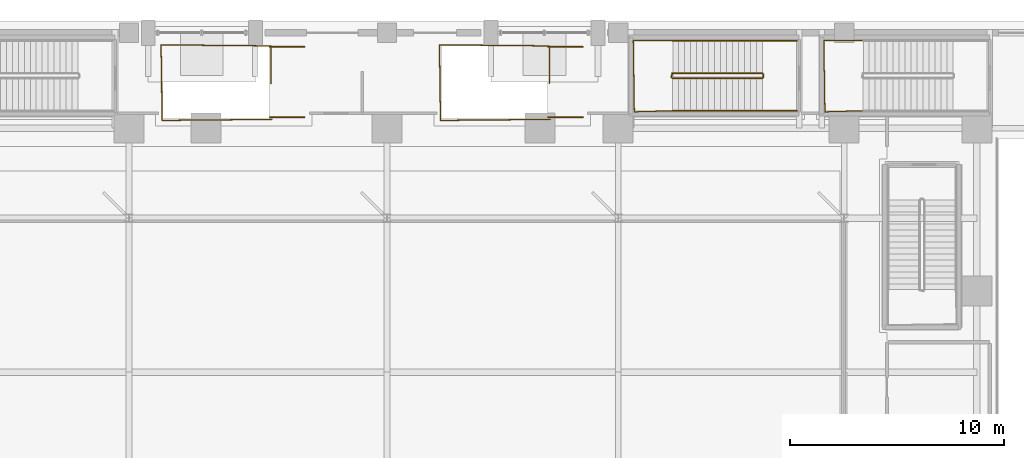
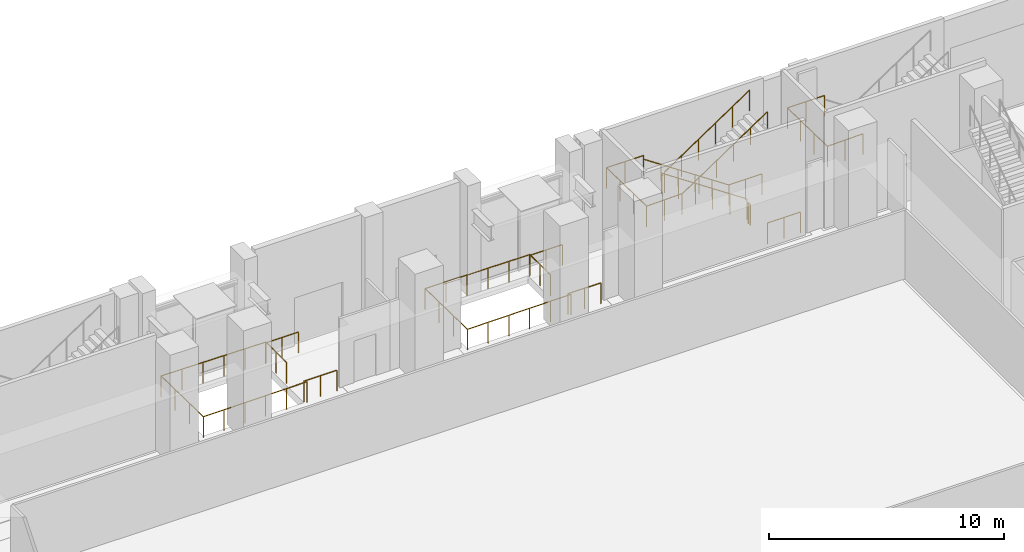
# One storey, part 32 of 36: 15 railings.
"""IFC4 building model written with IfcOpenShell, lengths in metres."""

from ifc_helpers import new_model, si_unit, direction, frame, origin, origin_2d, place, context, subcontext, project, spatial, circle, extrude, material, layer, layer_set, type_object, element, save


model = new_model("IFC4")

# Units and contexts
model_context = context("Model", 3, precision=1e-05, world=origin(), true_north=direction((0.0, 1.0)))
body_context = subcontext(model_context, "Body", "Model", "MODEL_VIEW")
ifc_project = project(units=[si_unit("LENGTHUNIT", "METRE"), si_unit("AREAUNIT", "SQUARE_METRE"), si_unit("VOLUMEUNIT", "CUBIC_METRE"), si_unit("PLANEANGLEUNIT", "RADIAN"), si_unit("MASSUNIT", "GRAM", prefix="KILO")], contexts=[model_context])

# Site, building, storey
site_placement = place(None, origin())
site = spatial("IfcSite", under=ifc_project, at=site_placement, CompositionType="ELEMENT")
building_placement = place(site_placement, origin())
building = spatial("IfcBuilding", under=site, at=building_placement, Name="Ndaravel Arena Tower", CompositionType="ELEMENT")
storey_placement = place(building_placement, origin())
storey = spatial("IfcBuildingStorey", under=building, at=storey_placement, Name="L00", CompositionType="ELEMENT", Elevation=0.0)

# Railings
ifc_material_1 = material(Name="Steel S355", Category="steel")
ifc_layer_1 = layer(ifc_material_1, 0.06005859375)
ifc_layer_set_1 = layer_set([ifc_layer_1], Name="Steel S355")
railing_type_1 = type_object("IfcRailingType", Name="RAIL-STAIR-GD1100", PredefinedType="GUARDRAIL", material=ifc_layer_set_1)
railing_1_placement = place(storey_placement, frame((60.179931640625, 45.570068359375, 0.1875)))
element("IfcRailing", 1, at=railing_1_placement, inside=storey, type_object=railing_type_1, Name="L00 ST-A10 stair guard 1", PredefinedType="GUARDRAIL", context=body_context, shape_type="SweptSolid", body=[
    extrude(circle(Radius=0.02392578125, at=origin_2d()), frame((0.0, 0.0, 1.076171875), z_axis=(-0.830904186295, 0.0, 0.556415522067), x_axis=(0.0, -1.0, 0.0)), (0.0, 0.0, 1.0), 5.0546875),
    extrude(circle(Radius=0.02392578125, at=origin_2d()), frame((-4.199951171875, 0.0, 3.888671875), z_axis=(-0.25449329928, -0.967074537263, 0.0), x_axis=(0.967074537263, -0.25449329928, 0.0)), (0.0, 0.0, 1.0), 0.19677734375),
    extrude(circle(Radius=0.02099609375, at=origin_2d()), origin(), (0.0, 0.0, 1.0), 1.052001953125),
    extrude(circle(Radius=0.02099609375, at=origin_2d()), frame((-0.840087890625, 0.0, 0.5625)), (0.0, 0.0, 1.0), 1.052001953125),
    extrude(circle(Radius=0.02099609375, at=origin_2d()), frame((-1.679931640625, 0.0, 1.125)), (0.0, 0.0, 1.0), 1.052001953125),
    extrude(circle(Radius=0.02099609375, at=origin_2d()), frame((-2.52001953125, 0.0, 1.6875)), (0.0, 0.0, 1.0), 1.052001953125),
    extrude(circle(Radius=0.02099609375, at=origin_2d()), frame((-3.35986328125, 0.0, 2.25)), (0.0, 0.0, 1.0), 1.052001953125),
    extrude(circle(Radius=0.02099609375, at=origin_2d()), frame((-4.199951171875, 0.0, 2.8125)), (0.0, 0.0, 1.0), 1.052001953125),
    extrude(circle(Radius=0.02099609375, at=origin_2d()), frame((-4.25, -0.190185546875, 2.8125)), (0.0, 0.0, 1.0), 1.052001953125),
])
railing_2_placement = place(storey_placement, frame((55.97998046875, 47.090087890625, 3.0)))
element("IfcRailing", 2, at=railing_2_placement, inside=storey, type_object=railing_type_1, Name="L00 ST-A10 stair guard 2", PredefinedType="GUARDRAIL", context=body_context, shape_type="SweptSolid", body=[
    extrude(circle(Radius=0.02392578125, at=origin_2d()), frame((0.0, 0.0, 1.076171875), z_axis=(-1.0, 0.0, 0.0), x_axis=(0.0, -1.0, 0.0)), (0.0, 0.0, 1.0), 1.830078125),
    extrude(circle(Radius=0.02392578125, at=origin_2d()), frame((-1.830078125, 0.0, 1.076171875), z_axis=(0.015027628384, -0.999887078817, 0.0), x_axis=(0.999887078817, 0.015027628384, 0.0)), (0.0, 0.0, 1.0), 3.33056640625),
    extrude(circle(Radius=0.02392578125, at=origin_2d()), frame((-1.780029296875, -3.330078125, 1.076171875), z_axis=(0.999604955407, 0.028105748986, 0.0), x_axis=(-0.028105748986, 0.999604955407, 0.0)), (0.0, 0.0, 1.0), 1.78076171875),
    extrude(circle(Radius=0.02099609375, at=origin_2d()), origin(), (0.0, 0.0, 1.0), 1.052001953125),
    extrude(circle(Radius=0.02099609375, at=origin_2d()), frame((-0.9150390625, 0.0, 0.0)), (0.0, 0.0, 1.0), 1.052001953125),
    extrude(circle(Radius=0.02099609375, at=origin_2d()), frame((-1.830078125, 0.0, 0.0)), (0.0, 0.0, 1.0), 1.052001953125),
    extrude(circle(Radius=0.02099609375, at=origin_2d()), frame((-1.8134765625, -1.110107421875, 0.0)), (0.0, 0.0, 1.0), 1.052001953125),
    extrude(circle(Radius=0.02099609375, at=origin_2d()), frame((-1.796630859375, -2.219970703125, 0.0)), (0.0, 0.0, 1.0), 1.052001953125),
    extrude(circle(Radius=0.02099609375, at=origin_2d()), frame((-1.780029296875, -3.330078125, 0.0)), (0.0, 0.0, 1.0), 1.052001953125),
    extrude(circle(Radius=0.02099609375, at=origin_2d()), frame((-0.89013671875, -3.30517578125, 0.0)), (0.0, 0.0, 1.0), 1.052001953125),
    extrude(circle(Radius=0.02099609375, at=origin_2d()), frame((0.0, -3.280029296875, 0.0)), (0.0, 0.0, 1.0), 1.052001953125),
])
railing_3_placement = place(storey_placement, frame((55.97998046875, 45.330078125, 3.1875)))
element("IfcRailing", 3, at=railing_3_placement, inside=storey, type_object=railing_type_1, Name="L00 ST-A10 stair guard 3", PredefinedType="GUARDRAIL", context=body_context, shape_type="SweptSolid", body=[
    extrude(circle(Radius=0.02392578125, at=origin_2d()), frame((0.0, 0.0, 1.076171875), z_axis=(0.830904186295, 0.0, 0.556415522067), x_axis=(0.0, 1.0, 0.0)), (0.0, 0.0, 1.0), 5.0546875),
    extrude(circle(Radius=0.02099609375, at=origin_2d()), origin(), (0.0, 0.0, 1.0), 1.052001953125),
    extrude(circle(Radius=0.02099609375, at=origin_2d()), frame((0.840087890625, 0.0, 0.5625)), (0.0, 0.0, 1.0), 1.052001953125),
    extrude(circle(Radius=0.02099609375, at=origin_2d()), frame((1.679931640625, 0.0, 1.125)), (0.0, 0.0, 1.0), 1.052001953125),
    extrude(circle(Radius=0.02099609375, at=origin_2d()), frame((2.52001953125, 0.0, 1.6875)), (0.0, 0.0, 1.0), 1.052001953125),
    extrude(circle(Radius=0.02099609375, at=origin_2d()), frame((3.35986328125, 0.0, 2.25)), (0.0, 0.0, 1.0), 1.052001953125),
    extrude(circle(Radius=0.02099609375, at=origin_2d()), frame((4.199951171875, 0.0, 2.8125)), (0.0, 0.0, 1.0), 1.052001953125),
])
railing_4_placement = place(storey_placement, frame((60.22998046875, 45.52001953125, 0.0)))
element("IfcRailing", 4, at=railing_4_placement, inside=storey, type_object=railing_type_1, Name="L00 ST-A10 stair guard 4", PredefinedType="GUARDRAIL", context=body_context, shape_type="SweptSolid", body=[
    extrude(circle(Radius=0.02392578125, at=origin_2d()), frame((0.0, 0.0, 1.076171875), z_axis=(0.0, -1.0, 0.0), x_axis=(1.0, 0.0, 0.0)), (0.0, 0.0, 1.0), 0.14013671875),
    extrude(circle(Radius=0.02099609375, at=origin_2d()), origin(), (0.0, 0.0, 1.0), 1.052001953125),
    extrude(circle(Radius=0.02099609375, at=origin_2d()), frame((0.0, -0.14013671875, 0.0)), (0.0, 0.0, 1.0), 1.052001953125),
])
for number, where, name in (
    (5, (61.800048828125, 47.090087890625, 0.0), "L00 ST-A10 stair guard 5"),
    (6, (61.800048828125, 43.81005859375, 0.0), "L00 ST-A10 stair guard 6"),
):
    element("IfcRailing", number, at=place(storey_placement, frame(where)), inside=storey, type_object=railing_type_1, Name=name, PredefinedType="GUARDRAIL", context=body_context, shape_type="SweptSolid", body=[
        extrude(circle(Radius=0.02392578125, at=origin_2d()), frame((0.0, 0.0, 1.076171875), z_axis=(-1.0, 0.0, 0.0), x_axis=(0.0, -1.0, 0.0)), (0.0, 0.0, 1.0), 1.6201171875),
        extrude(circle(Radius=0.02099609375, at=origin_2d()), origin(), (0.0, 0.0, 1.0), 1.052001953125),
        extrude(circle(Radius=0.02099609375, at=origin_2d()), frame((-0.81005859375, 0.0, 0.0)), (0.0, 0.0, 1.0), 1.052001953125),
        extrude(circle(Radius=0.02099609375, at=origin_2d()), frame((-1.6201171875, 0.0, 0.0)), (0.0, 0.0, 1.0), 1.052001953125),
    ])
railing_5_placement = place(storey_placement, frame((64.8798828125, 47.090087890625, 3.0)))
element("IfcRailing", 7, at=railing_5_placement, inside=storey, type_object=railing_type_1, Name="L00 ST-A11 stair guard 2", PredefinedType="GUARDRAIL", context=body_context, shape_type="SweptSolid", body=[
    extrude(circle(Radius=0.02392578125, at=origin_2d()), frame((0.0, 0.0, 1.076171875), z_axis=(-1.0, 0.0, 0.0), x_axis=(0.0, -1.0, 0.0)), (0.0, 0.0, 1.0), 1.829833984375),
    extrude(circle(Radius=0.02392578125, at=origin_2d()), frame((-1.829833984375, 0.0, 1.076171875), z_axis=(0.015027628384, -0.999887078817, 0.0), x_axis=(0.999887078817, 0.015027628384, 0.0)), (0.0, 0.0, 1.0), 3.33056640625),
    extrude(circle(Radius=0.02392578125, at=origin_2d()), frame((-1.77978515625, -3.330078125, 1.076171875), z_axis=(0.999604847084, 0.028109601324, 0.0), x_axis=(-0.028109601324, 0.999604847084, 0.0)), (0.0, 0.0, 1.0), 1.780517578125),
    extrude(circle(Radius=0.02099609375, at=origin_2d()), origin(), (0.0, 0.0, 1.0), 1.052001953125),
    extrude(circle(Radius=0.02099609375, at=origin_2d()), frame((-0.9150390625, 0.0, 0.0)), (0.0, 0.0, 1.0), 1.052001953125),
    extrude(circle(Radius=0.02099609375, at=origin_2d()), frame((-1.829833984375, 0.0, 0.0)), (0.0, 0.0, 1.0), 1.052001953125),
    extrude(circle(Radius=0.02099609375, at=origin_2d()), frame((-1.813232421875, -1.110107421875, 0.0)), (0.0, 0.0, 1.0), 1.052001953125),
    extrude(circle(Radius=0.02099609375, at=origin_2d()), frame((-1.79638671875, -2.219970703125, 0.0)), (0.0, 0.0, 1.0), 1.052001953125),
    extrude(circle(Radius=0.02099609375, at=origin_2d()), frame((-1.77978515625, -3.330078125, 0.0)), (0.0, 0.0, 1.0), 1.052001953125),
    extrude(circle(Radius=0.02099609375, at=origin_2d()), frame((-0.889892578125, -3.30517578125, 0.0)), (0.0, 0.0, 1.0), 1.052001953125),
    extrude(circle(Radius=0.02099609375, at=origin_2d()), frame((0.0, -3.280029296875, 0.0)), (0.0, 0.0, 1.0), 1.052001953125),
])
railing_6_placement = place(storey_placement, frame((37.280029296875, 43.409912109375, 0.0)))
element("IfcRailing", 8, at=railing_6_placement, inside=storey, type_object=railing_type_1, Name="L00 ST-B3 top well guard 1", PredefinedType="GUARDRAIL", context=body_context, shape_type="SweptSolid", body=[
    extrude(circle(Radius=0.02392578125, at=origin_2d()), frame((0.0, 0.0, 1.076171875), z_axis=(-0.999952878021, -0.009707818356, 0.0), x_axis=(0.009707818356, -0.999952878021, 0.0)), (0.0, 0.0, 1.0), 5.13037109375),
    extrude(circle(Radius=0.02392578125, at=origin_2d()), frame((-5.130126953125, -0.0498046875, 1.076171875), z_axis=(-0.014108431049, 0.999900471134, 0.0), x_axis=(-0.999900471134, -0.014108431049, 0.0)), (0.0, 0.0, 1.0), 3.530029296875),
    extrude(circle(Radius=0.02392578125, at=origin_2d()), frame((-5.179931640625, 3.47998046875, 1.076171875), z_axis=(0.999952873536, -0.009708280326, 0.0), x_axis=(0.009708280326, 0.999952873536, 0.0)), (0.0, 0.0, 1.0), 5.130126953125),
    extrude(circle(Radius=0.02392578125, at=origin_2d()), frame((-0.050048828125, 3.43017578125, 1.076171875), z_axis=(0.0, -1.0, 0.0), x_axis=(1.0, 0.0, 0.0)), (0.0, 0.0, 1.0), 1.760009765625),
    extrude(circle(Radius=0.02099609375, at=origin_2d()), origin(), (0.0, 0.0, 1.0), 1.052001953125),
    extrude(circle(Radius=0.02099609375, at=origin_2d()), frame((-1.026123046875, -0.010009765625, 0.0)), (0.0, 0.0, 1.0), 1.052001953125),
    extrude(circle(Radius=0.02099609375, at=origin_2d()), frame((-2.052001953125, -0.02001953125, 0.0)), (0.0, 0.0, 1.0), 1.052001953125),
    extrude(circle(Radius=0.02099609375, at=origin_2d()), frame((-3.078125, -0.02978515625, 0.0)), (0.0, 0.0, 1.0), 1.052001953125),
    extrude(circle(Radius=0.02099609375, at=origin_2d()), frame((-4.10400390625, -0.039794921875, 0.0)), (0.0, 0.0, 1.0), 1.052001953125),
    extrude(circle(Radius=0.02099609375, at=origin_2d()), frame((-5.130126953125, -0.0498046875, 0.0)), (0.0, 0.0, 1.0), 1.052001953125),
    extrude(circle(Radius=0.02099609375, at=origin_2d()), frame((-5.146728515625, 1.126708984375, 0.0)), (0.0, 0.0, 1.0), 1.052001953125),
    extrude(circle(Radius=0.02099609375, at=origin_2d()), frame((-5.163330078125, 2.303466796875, 0.0)), (0.0, 0.0, 1.0), 1.052001953125),
    extrude(circle(Radius=0.02099609375, at=origin_2d()), frame((-5.179931640625, 3.47998046875, 0.0)), (0.0, 0.0, 1.0), 1.052001953125),
    extrude(circle(Radius=0.02099609375, at=origin_2d()), frame((-4.154052734375, 3.469970703125, 0.0)), (0.0, 0.0, 1.0), 1.052001953125),
    extrude(circle(Radius=0.02099609375, at=origin_2d()), frame((-3.1279296875, 3.4599609375, 0.0)), (0.0, 0.0, 1.0), 1.052001953125),
    extrude(circle(Radius=0.02099609375, at=origin_2d()), frame((-2.10205078125, 3.4501953125, 0.0)), (0.0, 0.0, 1.0), 1.052001953125),
    extrude(circle(Radius=0.02099609375, at=origin_2d()), frame((-1.075927734375, 3.440185546875, 0.0)), (0.0, 0.0, 1.0), 1.052001953125),
    extrude(circle(Radius=0.02099609375, at=origin_2d()), frame((-0.050048828125, 3.43017578125, 0.0)), (0.0, 0.0, 1.0), 1.052001953125),
    extrude(circle(Radius=0.02099609375, at=origin_2d()), frame((-0.050048828125, 2.55029296875, 0.0)), (0.0, 0.0, 1.0), 1.052001953125),
    extrude(circle(Radius=0.02099609375, at=origin_2d()), frame((-0.050048828125, 1.670166015625, 0.0)), (0.0, 0.0, 1.0), 1.052001953125),
])
for number, where, name in (
    (9, (38.800048828125, 46.7900390625, 0.0), "L00 ST-B3 top well guard 2"),
    (10, (38.800048828125, 43.510009765625, 0.0), "L00 ST-B3 top well guard 3"),
):
    element("IfcRailing", number, at=place(storey_placement, frame(where)), inside=storey, type_object=railing_type_1, Name=name, PredefinedType="GUARDRAIL", context=body_context, shape_type="SweptSolid", body=[
        extrude(circle(Radius=0.02392578125, at=origin_2d()), frame((0.0, 0.0, 1.076171875), z_axis=(-1.0, 0.0, 0.0), x_axis=(0.0, -1.0, 0.0)), (0.0, 0.0, 1.0), 1.6201171875),
        extrude(circle(Radius=0.02099609375, at=origin_2d()), origin(), (0.0, 0.0, 1.0), 1.052001953125),
        extrude(circle(Radius=0.02099609375, at=origin_2d()), frame((-0.81005859375, 0.0, 0.0)), (0.0, 0.0, 1.0), 1.052001953125),
        extrude(circle(Radius=0.02099609375, at=origin_2d()), frame((-1.6201171875, 0.0, 0.0)), (0.0, 0.0, 1.0), 1.052001953125),
    ])
railing_7_placement = place(storey_placement, frame((50.280029296875, 43.409912109375, 0.0)))
element("IfcRailing", 11, at=railing_7_placement, inside=storey, type_object=railing_type_1, Name="L00 ST-B4 top well guard 1", PredefinedType="GUARDRAIL", context=body_context, shape_type="SweptSolid", body=[
    extrude(circle(Radius=0.02392578125, at=origin_2d()), frame((0.0, 0.0, 1.076171875), z_axis=(-0.999952878021, -0.009707818356, 0.0), x_axis=(0.009707818356, -0.999952878021, 0.0)), (0.0, 0.0, 1.0), 5.13037109375),
    extrude(circle(Radius=0.02392578125, at=origin_2d()), frame((-5.130126953125, -0.0498046875, 1.076171875), z_axis=(-0.014108431049, 0.999900471134, 0.0), x_axis=(-0.999900471134, -0.014108431049, 0.0)), (0.0, 0.0, 1.0), 3.530029296875),
    extrude(circle(Radius=0.02392578125, at=origin_2d()), frame((-5.179931640625, 3.47998046875, 1.076171875), z_axis=(0.999952873536, -0.009708280326, 0.0), x_axis=(0.009708280326, 0.999952873536, 0.0)), (0.0, 0.0, 1.0), 5.130126953125),
    extrude(circle(Radius=0.02392578125, at=origin_2d()), frame((-0.050048828125, 3.43017578125, 1.076171875), z_axis=(0.0, -1.0, 0.0), x_axis=(1.0, 0.0, 0.0)), (0.0, 0.0, 1.0), 1.760009765625),
    extrude(circle(Radius=0.02099609375, at=origin_2d()), origin(), (0.0, 0.0, 1.0), 1.052001953125),
    extrude(circle(Radius=0.02099609375, at=origin_2d()), frame((-1.026123046875, -0.010009765625, 0.0)), (0.0, 0.0, 1.0), 1.052001953125),
    extrude(circle(Radius=0.02099609375, at=origin_2d()), frame((-2.052001953125, -0.02001953125, 0.0)), (0.0, 0.0, 1.0), 1.052001953125),
    extrude(circle(Radius=0.02099609375, at=origin_2d()), frame((-3.078125, -0.02978515625, 0.0)), (0.0, 0.0, 1.0), 1.052001953125),
    extrude(circle(Radius=0.02099609375, at=origin_2d()), frame((-4.10400390625, -0.039794921875, 0.0)), (0.0, 0.0, 1.0), 1.052001953125),
    extrude(circle(Radius=0.02099609375, at=origin_2d()), frame((-5.130126953125, -0.0498046875, 0.0)), (0.0, 0.0, 1.0), 1.052001953125),
    extrude(circle(Radius=0.02099609375, at=origin_2d()), frame((-5.146728515625, 1.126708984375, 0.0)), (0.0, 0.0, 1.0), 1.052001953125),
    extrude(circle(Radius=0.02099609375, at=origin_2d()), frame((-5.163330078125, 2.303466796875, 0.0)), (0.0, 0.0, 1.0), 1.052001953125),
    extrude(circle(Radius=0.02099609375, at=origin_2d()), frame((-5.179931640625, 3.47998046875, 0.0)), (0.0, 0.0, 1.0), 1.052001953125),
    extrude(circle(Radius=0.02099609375, at=origin_2d()), frame((-4.154052734375, 3.469970703125, 0.0)), (0.0, 0.0, 1.0), 1.052001953125),
    extrude(circle(Radius=0.02099609375, at=origin_2d()), frame((-3.1279296875, 3.4599609375, 0.0)), (0.0, 0.0, 1.0), 1.052001953125),
    extrude(circle(Radius=0.02099609375, at=origin_2d()), frame((-2.10205078125, 3.4501953125, 0.0)), (0.0, 0.0, 1.0), 1.052001953125),
    extrude(circle(Radius=0.02099609375, at=origin_2d()), frame((-1.075927734375, 3.440185546875, 0.0)), (0.0, 0.0, 1.0), 1.052001953125),
    extrude(circle(Radius=0.02099609375, at=origin_2d()), frame((-0.050048828125, 3.43017578125, 0.0)), (0.0, 0.0, 1.0), 1.052001953125),
    extrude(circle(Radius=0.02099609375, at=origin_2d()), frame((-0.050048828125, 2.55029296875, 0.0)), (0.0, 0.0, 1.0), 1.052001953125),
    extrude(circle(Radius=0.02099609375, at=origin_2d()), frame((-0.050048828125, 1.670166015625, 0.0)), (0.0, 0.0, 1.0), 1.052001953125),
])
for number, where, name in (
    (12, (51.800048828125, 46.7900390625, 0.0), "L00 ST-B4 top well guard 2"),
    (13, (51.800048828125, 43.510009765625, 0.0), "L00 ST-B4 top well guard 3"),
):
    element("IfcRailing", number, at=place(storey_placement, frame(where)), inside=storey, type_object=railing_type_1, Name=name, PredefinedType="GUARDRAIL", context=body_context, shape_type="SweptSolid", body=[
        extrude(circle(Radius=0.02392578125, at=origin_2d()), frame((0.0, 0.0, 1.076171875), z_axis=(-1.0, 0.0, 0.0), x_axis=(0.0, -1.0, 0.0)), (0.0, 0.0, 1.0), 1.6201171875),
        extrude(circle(Radius=0.02099609375, at=origin_2d()), origin(), (0.0, 0.0, 1.0), 1.052001953125),
        extrude(circle(Radius=0.02099609375, at=origin_2d()), frame((-0.81005859375, 0.0, 0.0)), (0.0, 0.0, 1.0), 1.052001953125),
        extrude(circle(Radius=0.02099609375, at=origin_2d()), frame((-1.6201171875, 0.0, 0.0)), (0.0, 0.0, 1.0), 1.052001953125),
    ])
ifc_material_2 = material(Name="Steel S355", Category="steel")
ifc_layer_2 = layer(ifc_material_2, 0.050048828125)
ifc_layer_set_2 = layer_set([ifc_layer_2], Name="Steel S355")
railing_type_2 = type_object("IfcRailingType", Name="RAIL-STAIR-HR920", PredefinedType="HANDRAIL", material=ifc_layer_set_2)
railing_8_placement = place(storey_placement, frame((60.179931640625, 47.090087890625, 0.1875)))
element("IfcRailing", 14, at=railing_8_placement, inside=storey, type_object=railing_type_2, Name="L00 ST-A10 stair handrail 1", PredefinedType="HANDRAIL", context=body_context, shape_type="SweptSolid", body=[
    extrude(circle(Radius=0.02392578125, at=origin_2d()), frame((0.0, 0.0, 0.8759765625), z_axis=(-0.830904186295, 0.0, 0.556415522067), x_axis=(0.0, -1.0, 0.0)), (0.0, 0.0, 1.0), 5.0546875),
    extrude(circle(Radius=0.02099609375, at=origin_2d()), origin(), (0.0, 0.0, 1.0), 0.851806640625),
    extrude(circle(Radius=0.02099609375, at=origin_2d()), frame((-0.840087890625, 0.0, 0.5625)), (0.0, 0.0, 1.0), 0.851806640625),
    extrude(circle(Radius=0.02099609375, at=origin_2d()), frame((-1.679931640625, 0.0, 1.125)), (0.0, 0.0, 1.0), 0.851806640625),
    extrude(circle(Radius=0.02099609375, at=origin_2d()), frame((-2.52001953125, 0.0, 1.6875)), (0.0, 0.0, 1.0), 0.851806640625),
    extrude(circle(Radius=0.02099609375, at=origin_2d()), frame((-3.35986328125, 0.0, 2.25)), (0.0, 0.0, 1.0), 0.851806640625),
    extrude(circle(Radius=0.02099609375, at=origin_2d()), frame((-4.199951171875, 0.0, 2.8125)), (0.0, 0.0, 1.0), 0.851806640625),
])
railing_9_placement = place(storey_placement, frame((55.97998046875, 43.81005859375, 3.1875)))
element("IfcRailing", 15, at=railing_9_placement, inside=storey, type_object=railing_type_2, Name="L00 ST-A10 stair handrail 2", PredefinedType="HANDRAIL", context=body_context, shape_type="SweptSolid", body=[
    extrude(circle(Radius=0.02392578125, at=origin_2d()), frame((0.0, 0.0, 0.8759765625), z_axis=(0.830904186295, 0.0, 0.556415522067), x_axis=(0.0, 1.0, 0.0)), (0.0, 0.0, 1.0), 5.0546875),
    extrude(circle(Radius=0.02099609375, at=origin_2d()), origin(), (0.0, 0.0, 1.0), 0.851806640625),
    extrude(circle(Radius=0.02099609375, at=origin_2d()), frame((0.840087890625, 0.0, 0.5625)), (0.0, 0.0, 1.0), 0.851806640625),
    extrude(circle(Radius=0.02099609375, at=origin_2d()), frame((1.679931640625, 0.0, 1.125)), (0.0, 0.0, 1.0), 0.851806640625),
    extrude(circle(Radius=0.02099609375, at=origin_2d()), frame((2.52001953125, 0.0, 1.6875)), (0.0, 0.0, 1.0), 0.851806640625),
    extrude(circle(Radius=0.02099609375, at=origin_2d()), frame((3.35986328125, 0.0, 2.25)), (0.0, 0.0, 1.0), 0.851806640625),
    extrude(circle(Radius=0.02099609375, at=origin_2d()), frame((4.199951171875, 0.0, 2.8125)), (0.0, 0.0, 1.0), 0.851806640625),
])

save(model, "model.ifc")
